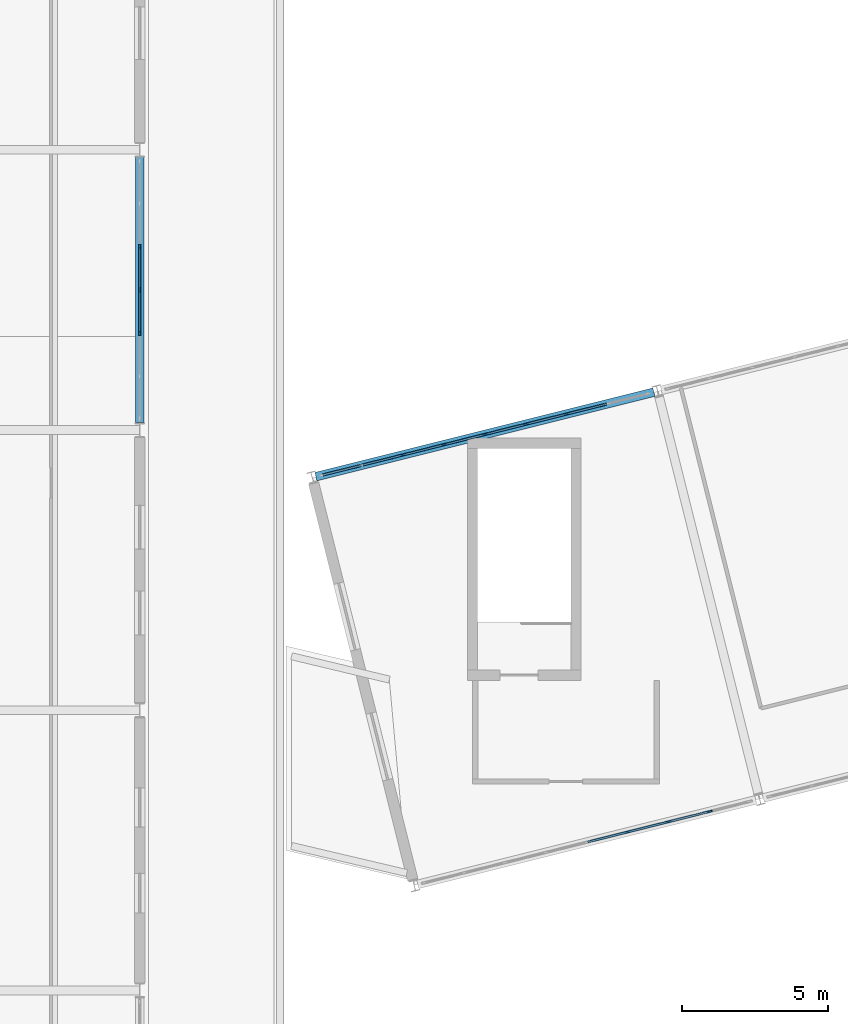
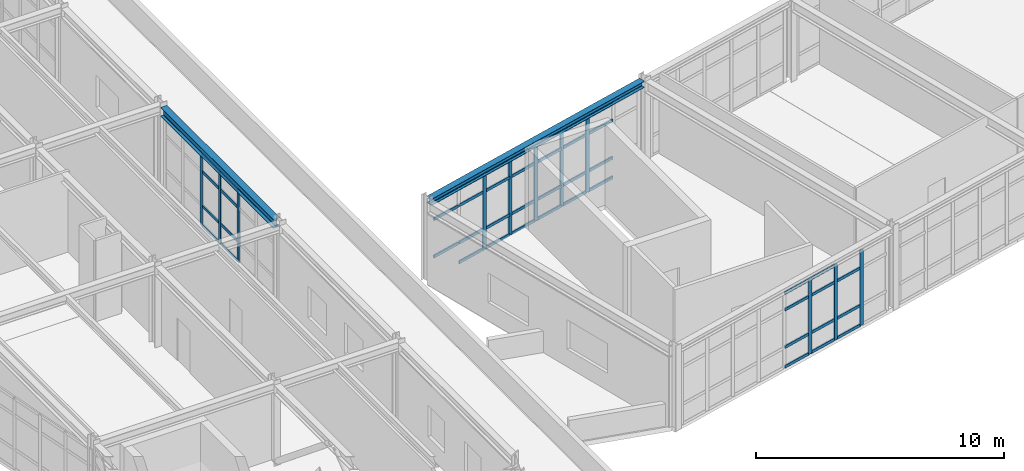
# One storey, part 14 of 64: 57 members, 2 beams, 3 elements without a shape of their own.
"""IFC4 building model written with IfcOpenShell, lengths in metres."""

import ifcopenshell
import ifcopenshell.guid

model = None  # the IFC model being written
_history = None  # IfcOwnerHistory: only IFC2X3 demands one
_inside = {}  # id of a spatial element -> (the spatial element, [elements in it])
_under = {}  # id of a project, library or spatial element -> (it, [spatial elements below it])
_declared = {}  # id of a project -> (the project, [libraries it declares])
_typed = {}  # id of a type object -> (the type object, [elements of that type])
_made_of = {}  # id of a material, layer set ... -> (it, [elements and type objects made of it])


def new_model(schema):
    """Start an empty IFC model of exactly this schema.

    Asked for "IFC4X3", IfcOpenShell would pick the latest addendum, in which some entities
    have other attributes; the version numbers below select the first issue.
    IFC2X3 requires an IfcOwnerHistory on every rooted entity: one is made here for all.
    """
    global model, _history
    if schema == "IFC4X3":
        model = ifcopenshell.file(schema_version=(4, 3, 0, 0))
    else:
        model = ifcopenshell.file(schema=schema)
    _inside.clear()
    _under.clear()
    _declared.clear()
    _typed.clear()
    _made_of.clear()
    _history = None
    if model.schema == "IFC2X3":
        org = make("IfcOrganization", Name="unknown")
        user = make(
            "IfcPersonAndOrganization",
            ThePerson=make("IfcPerson", FamilyName="unknown"),
            TheOrganization=org,
        )
        app = make(
            "IfcApplication",
            ApplicationDeveloper=org,
            Version="unknown",
            ApplicationFullName="unknown",
            ApplicationIdentifier="unknown",
        )
        _history = make(
            "IfcOwnerHistory",
            OwningUser=user,
            OwningApplication=app,
            ChangeAction="ADDED",
            CreationDate=0,
        )
    return model


def make(cls, **values):
    """One entity of the class cls with the attributes given. An attribute that is None is left unset."""
    return model.create_entity(
        cls, **{name: value for name, value in values.items() if value is not None}
    )


def rooted(cls, **values):
    """An entity with a GlobalId (a new one), such as an element, a storey or a relation."""
    return make(cls, GlobalId=ifcopenshell.guid.new(), OwnerHistory=_history, **values)


def si_unit(unit_type, name, prefix=None):
    """IfcSIUnit, for example si_unit("LENGTHUNIT", "METRE", prefix="MILLI")."""
    return make("IfcSIUnit", UnitType=unit_type, Prefix=prefix, Name=name)


def assignment(units):
    """IfcUnitAssignment: the units of a project."""
    return None if units is None else make("IfcUnitAssignment", Units=units)


def point(xyz):
    """IfcCartesianPoint."""
    return None if xyz is None else make("IfcCartesianPoint", Coordinates=xyz)


def direction(xyz):
    """IfcDirection."""
    return None if xyz is None else make("IfcDirection", DirectionRatios=xyz)


def frame(location, z_axis=None, x_axis=None):
    """IfcAxis2Placement3D, a coordinate frame: its origin and axes. An axis left out is left unset."""
    return make(
        "IfcAxis2Placement3D",
        Location=point(location),
        Axis=direction(z_axis),
        RefDirection=direction(x_axis),
    )


def frame_2d(location, x_axis=None):
    """IfcAxis2Placement2D, a coordinate frame in the plane: its origin and x axis."""
    return make(
        "IfcAxis2Placement2D", Location=point(location), RefDirection=direction(x_axis)
    )


def origin():
    """The frame at (0, 0, 0) with its axes left unset."""
    return frame((0.0, 0.0, 0.0))


def origin_2d():
    """The frame at (0, 0) in the plane with its x axis left unset."""
    return frame_2d((0.0, 0.0))


def place(relative_to, where):
    """IfcLocalPlacement: puts the frame where relative to a parent placement (None: the world)."""
    return make(
        "IfcLocalPlacement", PlacementRelTo=relative_to, RelativePlacement=where
    )


def context(
    kind, dimensions, precision=None, world=None, true_north=None, identifier=None
):
    """IfcGeometricRepresentationContext, for example the 3D "Model" context."""
    return make(
        "IfcGeometricRepresentationContext",
        ContextIdentifier=identifier,
        ContextType=kind,
        CoordinateSpaceDimension=dimensions,
        Precision=precision,
        WorldCoordinateSystem=world,
        TrueNorth=true_north,
    )


def subcontext(parent, identifier, kind, view, scale=None):
    """IfcGeometricRepresentationSubContext, for example "Body" below "Model"."""
    return make(
        "IfcGeometricRepresentationSubContext",
        ContextIdentifier=identifier,
        ContextType=kind,
        ParentContext=parent,
        TargetScale=scale,
        TargetView=view,
    )


def project(units=None, contexts=None):
    """IfcProject with its units and contexts."""
    return rooted(
        "IfcProject",
        Name="project",
        RepresentationContexts=contexts,
        UnitsInContext=assignment(units),
    )


def spatial(cls, under=None, at=None, **own):
    """A site, building, storey or space (cls), placed at a placement, below another one or the project."""
    s = rooted(cls, ObjectPlacement=at, **own)
    if under is not None:
        _under.setdefault(under.id(), (under, []))[1].append(s)
    return s


def profile(cls, at=None, kind="AREA", **sizes):
    """A parametric profile (cls). Its sizes go by their IFC names, for example OverallWidth=200.0."""
    return make(cls, ProfileType=kind, Position=at, **sizes)


def rectangle(**sizes):
    """IfcRectangleProfileDef."""
    return profile("IfcRectangleProfileDef", **sizes)


def i_section(**sizes):
    """IfcIShapeProfileDef."""
    return profile("IfcIShapeProfileDef", **sizes)


def extrude(swept, where, along, depth):
    """IfcExtrudedAreaSolid: the profile swept, set in the frame where, extruded along a direction by depth."""
    return make(
        "IfcExtrudedAreaSolid",
        SweptArea=swept,
        Position=where,
        ExtrudedDirection=direction(along),
        Depth=depth,
    )


def shape(context_of_items, identifier, shape_type, items):
    """IfcShapeRepresentation: the items that make up one representation, for example the "Body"."""
    return make(
        "IfcShapeRepresentation",
        ContextOfItems=context_of_items,
        RepresentationIdentifier=identifier,
        RepresentationType=shape_type,
        Items=items,
    )


def material(Name=None, Category=None):
    """IfcMaterial."""
    return make("IfcMaterial", Name=Name, Category=Category)


def layer(
    of_material, thickness, ventilated=None, Name=None, Category=None, Priority=None
):
    """IfcMaterialLayer: one layer of a wall or slab, of a material (None: an air gap)."""
    return make(
        "IfcMaterialLayer",
        Material=of_material,
        LayerThickness=thickness,
        IsVentilated=ventilated,
        Name=Name,
        Category=Category,
        Priority=Priority,
    )


def layer_set(layers, Name=None):
    """IfcMaterialLayerSet."""
    return make("IfcMaterialLayerSet", MaterialLayers=layers, LayerSetName=Name)


def material_profile(
    of_material, cross_section, Name=None, Category=None, Priority=None
):
    """IfcMaterialProfile: a cross section and its material."""
    return make(
        "IfcMaterialProfile",
        Name=Name,
        Material=of_material,
        Profile=cross_section,
        Priority=Priority,
        Category=Category,
    )


def profile_set(profiles, Name=None, composite=None):
    """IfcMaterialProfileSet."""
    return make(
        "IfcMaterialProfileSet",
        Name=Name,
        MaterialProfiles=profiles,
        CompositeProfile=composite,
    )


def made_of(thing, what):
    """Note that an element or type object is made of a material, layer set ...; save() writes the relation."""
    if what is not None:
        _made_of.setdefault(what.id(), (what, []))[1].append(thing)
    return thing


def type_object(cls, material=None, **own):
    """A type object (cls), such as IfcWallType, which elements share."""
    return made_of(rooted(cls, **own), material)


def element(
    cls,
    number,
    at=None,
    inside=None,
    cuts=None,
    type_object=None,
    material=None,
    context=None,
    identifier="Body",
    shape_type=None,
    held_by="IfcProductDefinitionShape",
    body=None,
    shapes=None,
    **own,
):
    """One element of the class cls, such as IfcWall. Its Tag is "e" and its number.

    at: its placement. inside: the storey or other place that contains it. cuts: it is an
    opening in that element (IfcRelVoidsElement). A single representation is given by context,
    identifier, shape_type and body (its items); several are given by shapes. held_by: the class
    of the entity that holds the representations. save() writes the other relations.
    """
    e = rooted(cls, Tag="e%d" % number, ObjectPlacement=at, **own)
    if body is not None:
        shapes = [shape(context, identifier, shape_type, body)]
    if shapes is not None:
        e.Representation = make(held_by, Representations=shapes)
    if inside is not None:
        _inside.setdefault(inside.id(), (inside, []))[1].append(e)
    if cuts is not None:
        rooted(
            "IfcRelVoidsElement", RelatingBuildingElement=cuts, RelatedOpeningElement=e
        )
    if type_object is not None:
        _typed.setdefault(type_object.id(), (type_object, []))[1].append(e)
    return made_of(e, material)


def aggregate(whole, parts):
    """IfcRelAggregates: a whole, such as a stair, and the parts it consists of."""
    return rooted("IfcRelAggregates", RelatingObject=whole, RelatedObjects=parts)


def save(model, path):
    """Write the relations noted so far, then the file.

    IfcRelAggregates (storeys below a building ...), IfcRelContainedInSpatialStructure (elements
    in a storey), IfcRelDefinesByType, IfcRelAssociatesMaterial and IfcRelDeclares: one each for
    every whole, place, type object, material and project.
    """
    for whole, parts in _under.values():
        aggregate(whole, parts)
    for where, things in _inside.values():
        rooted(
            "IfcRelContainedInSpatialStructure",
            RelatedElements=things,
            RelatingStructure=where,
        )
    for kind, things in _typed.values():
        rooted("IfcRelDefinesByType", RelatedObjects=things, RelatingType=kind)
    for what, things in _made_of.values():
        rooted("IfcRelAssociatesMaterial", RelatedObjects=things, RelatingMaterial=what)
    for by, libraries in _declared.values():
        rooted("IfcRelDeclares", RelatingContext=by, RelatedDefinitions=libraries)
    model.write(path)


model = new_model("IFC4")

# Units and contexts
model_context = context("Model", 3, precision=1e-05, world=origin(), true_north=direction((0.0, 1.0)))
body_context = subcontext(model_context, "Body", "Model", "MODEL_VIEW")
ifc_project = project(units=[si_unit("LENGTHUNIT", "METRE"), si_unit("AREAUNIT", "SQUARE_METRE"), si_unit("VOLUMEUNIT", "CUBIC_METRE"), si_unit("PLANEANGLEUNIT", "RADIAN"), si_unit("MASSUNIT", "GRAM", prefix="KILO")], contexts=[model_context])

# Site, building, storey
site_placement = place(None, origin())
site = spatial("IfcSite", under=ifc_project, at=site_placement, CompositionType="ELEMENT")
building_placement = place(site_placement, origin())
building = spatial("IfcBuilding", under=site, at=building_placement, Name="Nordkorset Police Headquarters", CompositionType="ELEMENT")
storey_placement = place(building_placement, frame((0.0, 0.0, 17.85009765625)))
storey = spatial("IfcBuildingStorey", under=building, at=storey_placement, Name="L04", CompositionType="ELEMENT", Elevation=17.85009765625)

# Curtain wall, members
ifc_material_1 = material(Name="Aluminium alloy AW-6060", Category="aluminium")
ifc_layer_1 = layer(ifc_material_1, 0.179931640625, Name="Aluminium alloy AW-6060")
ifc_layer_set_1 = layer_set([ifc_layer_1], Name="Aluminium alloy AW-6060")
curtain_wall_type_1 = type_object("IfcCurtainWallType", Name="CW_Unit_888x353", PredefinedType="USERDEFINED", material=ifc_layer_set_1)
curtain_wall_1_placement = place(storey_placement, origin())
curtain_wall_1 = element("IfcCurtainWall", 1, at=curtain_wall_1_placement, inside=storey, type_object=curtain_wall_type_1, Name="Unitised Curtain Wall L04 V3E-3", ObjectType="UNITISED CURTAIN WALL", PredefinedType="USERDEFINED")
ifc_material_2 = material(Name="Aluminium alloy AW-6060", Category="aluminium")
ifc_material_profile_1 = material_profile(ifc_material_2, rectangle(XDim=0.06494140625, YDim=0.179931640625, at=origin_2d()), Name="ALU MULL 65x180")
ifc_profile_set_1 = profile_set([ifc_material_profile_1], Name="Aluminium alloy AW-6060")
member_type_1 = type_object("IfcMemberType", Name="CW_Mullion_65x180", PredefinedType="MULLION", material=ifc_profile_set_1)
member_1_placement = place(storey_placement, frame((14.199951171875, 60.919921875, 0.0), z_axis=(0.0, 0.0, 1.0), x_axis=(-1.0, 0.0, 0.0)))
member_1 = element("IfcMember", 2, at=member_1_placement, type_object=member_type_1, Name="CW-52 mullion 3", PredefinedType="MULLION", context=body_context, shape_type="SweptSolid", body=[
    extrude(rectangle(XDim=0.06494140625, YDim=0.179931640625, at=origin_2d()), origin(), (0.0, 0.0, 1.0), 3.52978515625),
])
member_2_placement = place(storey_placement, frame((14.199951171875, 62.39990234375, 0.0), z_axis=(0.0, 0.0, 1.0), x_axis=(-1.0, 0.0, 0.0)))
member_2 = element("IfcMember", 3, at=member_2_placement, type_object=member_type_1, Name="CW-52 mullion 4", PredefinedType="MULLION", context=body_context, shape_type="SweptSolid", body=[
    extrude(rectangle(XDim=0.06494140625, YDim=0.179931640625, at=origin_2d()), origin(), (0.0, 0.0, 1.0), 3.52978515625),
])
member_3_placement = place(storey_placement, frame((14.199951171875, 63.8798828125, 0.0), z_axis=(0.0, 0.0, 1.0), x_axis=(-1.0, 0.0, 0.0)))
member_3 = element("IfcMember", 4, at=member_3_placement, type_object=member_type_1, Name="CW-52 mullion 5", PredefinedType="MULLION", context=body_context, shape_type="SweptSolid", body=[
    extrude(rectangle(XDim=0.06494140625, YDim=0.179931640625, at=origin_2d()), origin(), (0.0, 0.0, 1.0), 3.52978515625),
])

ifc_material_3 = material(Name="Aluminium alloy AW-6060", Category="aluminium")
ifc_layer_2 = layer(ifc_material_3, 0.179931640625, Name="Aluminium alloy AW-6060")
ifc_layer_set_2 = layer_set([ifc_layer_2], Name="Aluminium alloy AW-6060")
curtain_wall_type_2 = type_object("IfcCurtainWallType", Name="CW_Unit_1156x369", PredefinedType="USERDEFINED", material=ifc_layer_set_2)
curtain_wall_2_placement = place(storey_placement, origin())
curtain_wall_2 = element("IfcCurtainWall", 5, at=curtain_wall_2_placement, inside=storey, type_object=curtain_wall_type_2, Name="Unitised Curtain Wall L04 V4S-0", ObjectType="UNITISED CURTAIN WALL", PredefinedType="USERDEFINED")
member_4_placement = place(storey_placement, frame((30.919677734375, 43.829833984375, 0.0), z_axis=(0.0, 0.0, 1.0), x_axis=(-0.242535625038, 0.970142500145, 0.0)))
member_4 = element("IfcMember", 6, at=member_4_placement, type_object=member_type_1, Name="CW-06 mullion 6", PredefinedType="MULLION", context=body_context, shape_type="SweptSolid", body=[
    extrude(rectangle(XDim=0.06494140625, YDim=0.179931640625, at=origin_2d()), origin(), (0.0, 0.0, 1.0), 3.69091796875),
])
member_5_placement = place(storey_placement, frame((32.321533203125, 44.180419921875, 0.0), z_axis=(0.0, 0.0, 1.0), x_axis=(-0.242535625038, 0.970142500145, 0.0)))
member_5 = element("IfcMember", 7, at=member_5_placement, type_object=member_type_1, Name="CW-06 mullion 7", PredefinedType="MULLION", context=body_context, shape_type="SweptSolid", body=[
    extrude(rectangle(XDim=0.06494140625, YDim=0.179931640625, at=origin_2d()), origin(), (0.0, 0.0, 1.0), 3.69091796875),
])
member_6_placement = place(storey_placement, frame((33.723388671875, 44.53076171875, 0.0), z_axis=(0.0, 0.0, 1.0), x_axis=(-0.242535625038, 0.970142500145, 0.0)))
member_6 = element("IfcMember", 8, at=member_6_placement, type_object=member_type_1, Name="CW-06 mullion 8", PredefinedType="MULLION", context=body_context, shape_type="SweptSolid", body=[
    extrude(rectangle(XDim=0.06494140625, YDim=0.179931640625, at=origin_2d()), origin(), (0.0, 0.0, 1.0), 3.69091796875),
])

curtain_wall_3_placement = place(storey_placement, origin())
curtain_wall_3 = element("IfcCurtainWall", 9, at=curtain_wall_3_placement, inside=storey, type_object=curtain_wall_type_2, Name="Unitised Curtain Wall L04 V4N-0", ObjectType="UNITISED CURTAIN WALL", PredefinedType="USERDEFINED")
member_7_placement = place(storey_placement, frame((23.2216796875, 56.74853515625, 0.0), z_axis=(0.0, 0.0, 1.0), x_axis=(-0.242536235663, 0.970142347489, 0.0)))
member_7 = element("IfcMember", 10, at=member_7_placement, type_object=member_type_1, Name="CW-06 mullion 3", PredefinedType="MULLION", context=body_context, shape_type="SweptSolid", body=[
    extrude(rectangle(XDim=0.06494140625, YDim=0.179931640625, at=origin_2d()), origin(), (0.0, 0.0, 1.0), 3.69091796875),
])
member_8_placement = place(storey_placement, frame((24.62353515625, 57.09912109375, 0.0), z_axis=(0.0, 0.0, 1.0), x_axis=(-0.242536235663, 0.970142347489, 0.0)))
member_8 = element("IfcMember", 11, at=member_8_placement, type_object=member_type_1, Name="CW-06 mullion 4", PredefinedType="MULLION", context=body_context, shape_type="SweptSolid", body=[
    extrude(rectangle(XDim=0.06494140625, YDim=0.179931640625, at=origin_2d()), origin(), (0.0, 0.0, 1.0), 3.69091796875),
])
member_9_placement = place(storey_placement, frame((26.025390625, 57.449462890625, 0.0), z_axis=(0.0, 0.0, 1.0), x_axis=(-0.242536235663, 0.970142347489, 0.0)))
member_9 = element("IfcMember", 12, at=member_9_placement, type_object=member_type_1, Name="CW-06 mullion 5", PredefinedType="MULLION", context=body_context, shape_type="SweptSolid", body=[
    extrude(rectangle(XDim=0.06494140625, YDim=0.179931640625, at=origin_2d()), origin(), (0.0, 0.0, 1.0), 3.69091796875),
])
member_10_placement = place(storey_placement, frame((27.42724609375, 57.800048828125, 0.0), z_axis=(0.0, 0.0, 1.0), x_axis=(-0.242536235663, 0.970142347489, 0.0)))
member_10 = element("IfcMember", 13, at=member_10_placement, type_object=member_type_1, Name="CW-06 mullion 6", PredefinedType="MULLION", context=body_context, shape_type="SweptSolid", body=[
    extrude(rectangle(XDim=0.06494140625, YDim=0.179931640625, at=origin_2d()), origin(), (0.0, 0.0, 1.0), 3.69091796875),
])
member_11_placement = place(storey_placement, frame((28.8291015625, 58.150390625, 0.0), z_axis=(0.0, 0.0, 1.0), x_axis=(-0.242536235663, 0.970142347489, 0.0)))
member_11 = element("IfcMember", 14, at=member_11_placement, type_object=member_type_1, Name="CW-06 mullion 7", PredefinedType="MULLION", context=body_context, shape_type="SweptSolid", body=[
    extrude(rectangle(XDim=0.06494140625, YDim=0.179931640625, at=origin_2d()), origin(), (0.0, 0.0, 1.0), 3.69091796875),
])

# Member
ifc_material_4 = material(Name="Aluminium alloy AW-6060", Category="aluminium")
ifc_material_profile_2 = material_profile(ifc_material_4, rectangle(XDim=0.06494140625, YDim=0.139892578125, at=origin_2d()), Name="ALU TRAN 65x140")
ifc_profile_set_2 = profile_set([ifc_material_profile_2], Name="Aluminium alloy AW-6060")
member_type_2 = type_object("IfcMemberType", Name="CW_Transom_65x140", PredefinedType="USERDEFINED", material=ifc_profile_set_2)
member_12_placement = place(storey_placement, frame((14.199951171875, 60.952392578125, 0.032470703125), z_axis=(0.0, 1.0, 0.0), x_axis=(-1.0, 0.0, 0.0)))
member_12 = element("IfcMember", 15, at=member_12_placement, type_object=member_type_2, Name="CW-52 transom 3.1", ObjectType="TRANSOM", PredefinedType="USERDEFINED", context=body_context, shape_type="SweptSolid", body=[
    extrude(rectangle(XDim=0.06494140625, YDim=0.139892578125, at=origin_2d()), origin(), (0.0, 0.0, 1.0), 1.4150390625),
])

member_13_placement = place(storey_placement, frame((14.199951171875, 60.952392578125, 1.0), z_axis=(0.0, 1.0, 0.0), x_axis=(-1.0, 0.0, 0.0)))
member_13 = element("IfcMember", 16, at=member_13_placement, type_object=member_type_2, Name="CW-52 transom 3.2", ObjectType="TRANSOM", PredefinedType="USERDEFINED", context=body_context, shape_type="SweptSolid", body=[
    extrude(rectangle(XDim=0.06494140625, YDim=0.139892578125, at=origin_2d()), origin(), (0.0, 0.0, 1.0), 1.4150390625),
])

member_14_placement = place(storey_placement, frame((14.199951171875, 60.952392578125, 2.679931640625), z_axis=(0.0, 1.0, 0.0), x_axis=(-1.0, 0.0, 0.0)))
member_14 = element("IfcMember", 17, at=member_14_placement, type_object=member_type_2, Name="CW-52 transom 3.3", ObjectType="TRANSOM", PredefinedType="USERDEFINED", context=body_context, shape_type="SweptSolid", body=[
    extrude(rectangle(XDim=0.06494140625, YDim=0.139892578125, at=origin_2d()), origin(), (0.0, 0.0, 1.0), 1.4150390625),
])

member_15_placement = place(storey_placement, frame((14.199951171875, 60.952392578125, 3.497314453125), z_axis=(0.0, 1.0, 0.0), x_axis=(-1.0, 0.0, 0.0)))
member_15 = element("IfcMember", 18, at=member_15_placement, type_object=member_type_2, Name="CW-52 transom 3.4", ObjectType="TRANSOM", PredefinedType="USERDEFINED", context=body_context, shape_type="SweptSolid", body=[
    extrude(rectangle(XDim=0.06494140625, YDim=0.139892578125, at=origin_2d()), origin(), (0.0, 0.0, 1.0), 1.4150390625),
])

member_16_placement = place(storey_placement, frame((14.199951171875, 62.4326171875, 0.032470703125), z_axis=(0.0, 1.0, 0.0), x_axis=(-1.0, 0.0, 0.0)))
member_16 = element("IfcMember", 19, at=member_16_placement, type_object=member_type_2, Name="CW-52 transom 4.1", ObjectType="TRANSOM", PredefinedType="USERDEFINED", context=body_context, shape_type="SweptSolid", body=[
    extrude(rectangle(XDim=0.06494140625, YDim=0.139892578125, at=origin_2d()), origin(), (0.0, 0.0, 1.0), 1.414794921875),
])

member_17_placement = place(storey_placement, frame((14.199951171875, 62.4326171875, 1.0), z_axis=(0.0, 1.0, 0.0), x_axis=(-1.0, 0.0, 0.0)))
member_17 = element("IfcMember", 20, at=member_17_placement, type_object=member_type_2, Name="CW-52 transom 4.2", ObjectType="TRANSOM", PredefinedType="USERDEFINED", context=body_context, shape_type="SweptSolid", body=[
    extrude(rectangle(XDim=0.06494140625, YDim=0.139892578125, at=origin_2d()), origin(), (0.0, 0.0, 1.0), 1.414794921875),
])

member_18_placement = place(storey_placement, frame((14.199951171875, 62.4326171875, 2.679931640625), z_axis=(0.0, 1.0, 0.0), x_axis=(-1.0, 0.0, 0.0)))
member_18 = element("IfcMember", 21, at=member_18_placement, type_object=member_type_2, Name="CW-52 transom 4.3", ObjectType="TRANSOM", PredefinedType="USERDEFINED", context=body_context, shape_type="SweptSolid", body=[
    extrude(rectangle(XDim=0.06494140625, YDim=0.139892578125, at=origin_2d()), origin(), (0.0, 0.0, 1.0), 1.414794921875),
])

member_19_placement = place(storey_placement, frame((14.199951171875, 62.4326171875, 3.497314453125), z_axis=(0.0, 1.0, 0.0), x_axis=(-1.0, 0.0, 0.0)))
member_19 = element("IfcMember", 22, at=member_19_placement, type_object=member_type_2, Name="CW-52 transom 4.4", ObjectType="TRANSOM", PredefinedType="USERDEFINED", context=body_context, shape_type="SweptSolid", body=[
    extrude(rectangle(XDim=0.06494140625, YDim=0.139892578125, at=origin_2d()), origin(), (0.0, 0.0, 1.0), 1.414794921875),
])

aggregate(curtain_wall_1, [member_1, member_2, member_3, member_12, member_13, member_14, member_15, member_16, member_17, member_18, member_19])

member_20_placement = place(storey_placement, frame((29.54931640625, 43.4873046875, 0.032470703125), z_axis=(0.970142500145, 0.242535625036, 0.0), x_axis=(-0.242535625036, 0.970142500145, 0.0)))
member_20 = element("IfcMember", 23, at=member_20_placement, type_object=member_type_2, Name="CW-06 transom 5.1", ObjectType="TRANSOM", PredefinedType="USERDEFINED", context=body_context, shape_type="SweptSolid", body=[
    extrude(rectangle(XDim=0.06494140625, YDim=0.139892578125, at=origin_2d()), origin(), (0.0, 0.0, 1.0), 1.380126953125),
])

member_21_placement = place(storey_placement, frame((29.54931640625, 43.4873046875, 1.0), z_axis=(0.970142500145, 0.242535625036, 0.0), x_axis=(-0.242535625036, 0.970142500145, 0.0)))
member_21 = element("IfcMember", 24, at=member_21_placement, type_object=member_type_2, Name="CW-06 transom 5.2", ObjectType="TRANSOM", PredefinedType="USERDEFINED", context=body_context, shape_type="SweptSolid", body=[
    extrude(rectangle(XDim=0.06494140625, YDim=0.139892578125, at=origin_2d()), origin(), (0.0, 0.0, 1.0), 1.380126953125),
])

member_22_placement = place(storey_placement, frame((29.54931640625, 43.4873046875, 2.8408203125), z_axis=(0.970142500145, 0.242535625036, 0.0), x_axis=(-0.242535625036, 0.970142500145, 0.0)))
member_22 = element("IfcMember", 25, at=member_22_placement, type_object=member_type_2, Name="CW-06 transom 5.3", ObjectType="TRANSOM", PredefinedType="USERDEFINED", context=body_context, shape_type="SweptSolid", body=[
    extrude(rectangle(XDim=0.06494140625, YDim=0.139892578125, at=origin_2d()), origin(), (0.0, 0.0, 1.0), 1.380126953125),
])

member_23_placement = place(storey_placement, frame((29.54931640625, 43.4873046875, 3.658447265625), z_axis=(0.970142500145, 0.242535625036, 0.0), x_axis=(-0.242535625036, 0.970142500145, 0.0)))
member_23 = element("IfcMember", 26, at=member_23_placement, type_object=member_type_2, Name="CW-06 transom 5.4", ObjectType="TRANSOM", PredefinedType="USERDEFINED", context=body_context, shape_type="SweptSolid", body=[
    extrude(rectangle(XDim=0.06494140625, YDim=0.139892578125, at=origin_2d()), origin(), (0.0, 0.0, 1.0), 1.380126953125),
])

member_24_placement = place(storey_placement, frame((30.951171875, 43.837890625, 0.032470703125), z_axis=(0.970142500145, 0.242535625036, 0.0), x_axis=(-0.242535625036, 0.970142500145, 0.0)))
member_24 = element("IfcMember", 27, at=member_24_placement, type_object=member_type_2, Name="CW-06 transom 6.1", ObjectType="TRANSOM", PredefinedType="USERDEFINED", context=body_context, shape_type="SweptSolid", body=[
    extrude(rectangle(XDim=0.06494140625, YDim=0.139892578125, at=origin_2d()), origin(), (0.0, 0.0, 1.0), 1.380126953125),
])

member_25_placement = place(storey_placement, frame((30.951171875, 43.837890625, 1.0), z_axis=(0.970142500145, 0.242535625036, 0.0), x_axis=(-0.242535625036, 0.970142500145, 0.0)))
member_25 = element("IfcMember", 28, at=member_25_placement, type_object=member_type_2, Name="CW-06 transom 6.2", ObjectType="TRANSOM", PredefinedType="USERDEFINED", context=body_context, shape_type="SweptSolid", body=[
    extrude(rectangle(XDim=0.06494140625, YDim=0.139892578125, at=origin_2d()), origin(), (0.0, 0.0, 1.0), 1.380126953125),
])

member_26_placement = place(storey_placement, frame((30.951171875, 43.837890625, 2.8408203125), z_axis=(0.970142500145, 0.242535625036, 0.0), x_axis=(-0.242535625036, 0.970142500145, 0.0)))
member_26 = element("IfcMember", 29, at=member_26_placement, type_object=member_type_2, Name="CW-06 transom 6.3", ObjectType="TRANSOM", PredefinedType="USERDEFINED", context=body_context, shape_type="SweptSolid", body=[
    extrude(rectangle(XDim=0.06494140625, YDim=0.139892578125, at=origin_2d()), origin(), (0.0, 0.0, 1.0), 1.380126953125),
])

member_27_placement = place(storey_placement, frame((30.951171875, 43.837890625, 3.658447265625), z_axis=(0.970142500145, 0.242535625036, 0.0), x_axis=(-0.242535625036, 0.970142500145, 0.0)))
member_27 = element("IfcMember", 30, at=member_27_placement, type_object=member_type_2, Name="CW-06 transom 6.4", ObjectType="TRANSOM", PredefinedType="USERDEFINED", context=body_context, shape_type="SweptSolid", body=[
    extrude(rectangle(XDim=0.06494140625, YDim=0.139892578125, at=origin_2d()), origin(), (0.0, 0.0, 1.0), 1.380126953125),
])

member_28_placement = place(storey_placement, frame((32.35302734375, 44.188232421875, 0.032470703125), z_axis=(0.970142500145, 0.242535625036, 0.0), x_axis=(-0.242535625036, 0.970142500145, 0.0)))
member_28 = element("IfcMember", 31, at=member_28_placement, type_object=member_type_2, Name="CW-06 transom 7.1", ObjectType="TRANSOM", PredefinedType="USERDEFINED", context=body_context, shape_type="SweptSolid", body=[
    extrude(rectangle(XDim=0.06494140625, YDim=0.139892578125, at=origin_2d()), origin(), (0.0, 0.0, 1.0), 1.380126953125),
])

member_29_placement = place(storey_placement, frame((32.35302734375, 44.188232421875, 1.0), z_axis=(0.970142500145, 0.242535625036, 0.0), x_axis=(-0.242535625036, 0.970142500145, 0.0)))
member_29 = element("IfcMember", 32, at=member_29_placement, type_object=member_type_2, Name="CW-06 transom 7.2", ObjectType="TRANSOM", PredefinedType="USERDEFINED", context=body_context, shape_type="SweptSolid", body=[
    extrude(rectangle(XDim=0.06494140625, YDim=0.139892578125, at=origin_2d()), origin(), (0.0, 0.0, 1.0), 1.380126953125),
])

member_30_placement = place(storey_placement, frame((32.35302734375, 44.188232421875, 2.8408203125), z_axis=(0.970142500145, 0.242535625036, 0.0), x_axis=(-0.242535625036, 0.970142500145, 0.0)))
member_30 = element("IfcMember", 33, at=member_30_placement, type_object=member_type_2, Name="CW-06 transom 7.3", ObjectType="TRANSOM", PredefinedType="USERDEFINED", context=body_context, shape_type="SweptSolid", body=[
    extrude(rectangle(XDim=0.06494140625, YDim=0.139892578125, at=origin_2d()), origin(), (0.0, 0.0, 1.0), 1.380126953125),
])

aggregate(curtain_wall_2, [member_4, member_5, member_6, member_20, member_21, member_22, member_23, member_24, member_25, member_26, member_27, member_28, member_29, member_30])

member_31_placement = place(storey_placement, frame((20.48095703125, 56.0634765625, 1.0), z_axis=(0.970174463193, 0.242407737022, 0.0), x_axis=(-0.242407737022, 0.970174463193, 0.0)))
member_31 = element("IfcMember", 34, at=member_31_placement, type_object=member_type_2, Name="CW-06 transom 1.2", ObjectType="TRANSOM", PredefinedType="USERDEFINED", context=body_context, shape_type="SweptSolid", body=[
    extrude(rectangle(XDim=0.06494140625, YDim=0.139892578125, at=origin_2d()), origin(), (0.0, 0.0, 1.0), 1.34765625),
])

member_32_placement = place(storey_placement, frame((20.48095703125, 56.0634765625, 2.8408203125), z_axis=(0.970174463193, 0.242407737022, 0.0), x_axis=(-0.242407737022, 0.970174463193, 0.0)))
member_32 = element("IfcMember", 35, at=member_32_placement, type_object=member_type_2, Name="CW-06 transom 1.3", ObjectType="TRANSOM", PredefinedType="USERDEFINED", context=body_context, shape_type="SweptSolid", body=[
    extrude(rectangle(XDim=0.06494140625, YDim=0.139892578125, at=origin_2d()), origin(), (0.0, 0.0, 1.0), 1.34765625),
])

member_33_placement = place(storey_placement, frame((20.48095703125, 56.0634765625, 3.658447265625), z_axis=(0.970174463193, 0.242407737022, 0.0), x_axis=(-0.242407737022, 0.970174463193, 0.0)))
member_33 = element("IfcMember", 36, at=member_33_placement, type_object=member_type_2, Name="CW-06 transom 1.4", ObjectType="TRANSOM", PredefinedType="USERDEFINED", context=body_context, shape_type="SweptSolid", body=[
    extrude(rectangle(XDim=0.06494140625, YDim=0.139892578125, at=origin_2d()), origin(), (0.0, 0.0, 1.0), 1.34765625),
])

member_34_placement = place(storey_placement, frame((21.851318359375, 56.406005859375, 0.032470703125), z_axis=(0.970142500145, 0.242535625036, 0.0), x_axis=(-0.242535625036, 0.970142500145, 0.0)))
member_34 = element("IfcMember", 37, at=member_34_placement, type_object=member_type_2, Name="CW-06 transom 2.1", ObjectType="TRANSOM", PredefinedType="USERDEFINED", context=body_context, shape_type="SweptSolid", body=[
    extrude(rectangle(XDim=0.06494140625, YDim=0.139892578125, at=origin_2d()), origin(), (0.0, 0.0, 1.0), 1.380126953125),
])

member_35_placement = place(storey_placement, frame((21.851318359375, 56.406005859375, 1.0), z_axis=(0.970142500145, 0.242535625036, 0.0), x_axis=(-0.242535625036, 0.970142500145, 0.0)))
member_35 = element("IfcMember", 38, at=member_35_placement, type_object=member_type_2, Name="CW-06 transom 2.2", ObjectType="TRANSOM", PredefinedType="USERDEFINED", context=body_context, shape_type="SweptSolid", body=[
    extrude(rectangle(XDim=0.06494140625, YDim=0.139892578125, at=origin_2d()), origin(), (0.0, 0.0, 1.0), 1.380126953125),
])

member_36_placement = place(storey_placement, frame((21.851318359375, 56.406005859375, 2.8408203125), z_axis=(0.970142500145, 0.242535625036, 0.0), x_axis=(-0.242535625036, 0.970142500145, 0.0)))
member_36 = element("IfcMember", 39, at=member_36_placement, type_object=member_type_2, Name="CW-06 transom 2.3", ObjectType="TRANSOM", PredefinedType="USERDEFINED", context=body_context, shape_type="SweptSolid", body=[
    extrude(rectangle(XDim=0.06494140625, YDim=0.139892578125, at=origin_2d()), origin(), (0.0, 0.0, 1.0), 1.380126953125),
])

member_37_placement = place(storey_placement, frame((21.851318359375, 56.406005859375, 3.658447265625), z_axis=(0.970142500145, 0.242535625036, 0.0), x_axis=(-0.242535625036, 0.970142500145, 0.0)))
member_37 = element("IfcMember", 40, at=member_37_placement, type_object=member_type_2, Name="CW-06 transom 2.4", ObjectType="TRANSOM", PredefinedType="USERDEFINED", context=body_context, shape_type="SweptSolid", body=[
    extrude(rectangle(XDim=0.06494140625, YDim=0.139892578125, at=origin_2d()), origin(), (0.0, 0.0, 1.0), 1.380126953125),
])

member_38_placement = place(storey_placement, frame((23.253173828125, 56.756591796875, 0.032470703125), z_axis=(0.970184112154, 0.242369116275, 0.0), x_axis=(-0.242369116275, 0.970184112154, 0.0)))
member_38 = element("IfcMember", 41, at=member_38_placement, type_object=member_type_2, Name="CW-06 transom 3.1", ObjectType="TRANSOM", PredefinedType="USERDEFINED", context=body_context, shape_type="SweptSolid", body=[
    extrude(rectangle(XDim=0.06494140625, YDim=0.139892578125, at=origin_2d()), origin(), (0.0, 0.0, 1.0), 1.380126953125),
])

member_39_placement = place(storey_placement, frame((23.253173828125, 56.756591796875, 1.0), z_axis=(0.970184112154, 0.242369116275, 0.0), x_axis=(-0.242369116275, 0.970184112154, 0.0)))
member_39 = element("IfcMember", 42, at=member_39_placement, type_object=member_type_2, Name="CW-06 transom 3.2", ObjectType="TRANSOM", PredefinedType="USERDEFINED", context=body_context, shape_type="SweptSolid", body=[
    extrude(rectangle(XDim=0.06494140625, YDim=0.139892578125, at=origin_2d()), origin(), (0.0, 0.0, 1.0), 1.380126953125),
])

member_40_placement = place(storey_placement, frame((23.253173828125, 56.756591796875, 2.8408203125), z_axis=(0.970184112154, 0.242369116275, 0.0), x_axis=(-0.242369116275, 0.970184112154, 0.0)))
member_40 = element("IfcMember", 43, at=member_40_placement, type_object=member_type_2, Name="CW-06 transom 3.3", ObjectType="TRANSOM", PredefinedType="USERDEFINED", context=body_context, shape_type="SweptSolid", body=[
    extrude(rectangle(XDim=0.06494140625, YDim=0.139892578125, at=origin_2d()), origin(), (0.0, 0.0, 1.0), 1.380126953125),
])

member_41_placement = place(storey_placement, frame((23.253173828125, 56.756591796875, 3.658447265625), z_axis=(0.970184112154, 0.242369116275, 0.0), x_axis=(-0.242369116275, 0.970184112154, 0.0)))
member_41 = element("IfcMember", 44, at=member_41_placement, type_object=member_type_2, Name="CW-06 transom 3.4", ObjectType="TRANSOM", PredefinedType="USERDEFINED", context=body_context, shape_type="SweptSolid", body=[
    extrude(rectangle(XDim=0.06494140625, YDim=0.139892578125, at=origin_2d()), origin(), (0.0, 0.0, 1.0), 1.380126953125),
])

member_42_placement = place(storey_placement, frame((24.655029296875, 57.10693359375, 0.032470703125), z_axis=(0.970142500145, 0.242535625036, 0.0), x_axis=(-0.242535625036, 0.970142500145, 0.0)))
member_42 = element("IfcMember", 45, at=member_42_placement, type_object=member_type_2, Name="CW-06 transom 4.1", ObjectType="TRANSOM", PredefinedType="USERDEFINED", context=body_context, shape_type="SweptSolid", body=[
    extrude(rectangle(XDim=0.06494140625, YDim=0.139892578125, at=origin_2d()), origin(), (0.0, 0.0, 1.0), 1.380126953125),
])

member_43_placement = place(storey_placement, frame((24.655029296875, 57.10693359375, 1.0), z_axis=(0.970142500145, 0.242535625036, 0.0), x_axis=(-0.242535625036, 0.970142500145, 0.0)))
member_43 = element("IfcMember", 46, at=member_43_placement, type_object=member_type_2, Name="CW-06 transom 4.2", ObjectType="TRANSOM", PredefinedType="USERDEFINED", context=body_context, shape_type="SweptSolid", body=[
    extrude(rectangle(XDim=0.06494140625, YDim=0.139892578125, at=origin_2d()), origin(), (0.0, 0.0, 1.0), 1.380126953125),
])

member_44_placement = place(storey_placement, frame((24.655029296875, 57.10693359375, 2.8408203125), z_axis=(0.970142500145, 0.242535625036, 0.0), x_axis=(-0.242535625036, 0.970142500145, 0.0)))
member_44 = element("IfcMember", 47, at=member_44_placement, type_object=member_type_2, Name="CW-06 transom 4.3", ObjectType="TRANSOM", PredefinedType="USERDEFINED", context=body_context, shape_type="SweptSolid", body=[
    extrude(rectangle(XDim=0.06494140625, YDim=0.139892578125, at=origin_2d()), origin(), (0.0, 0.0, 1.0), 1.380126953125),
])

member_45_placement = place(storey_placement, frame((24.655029296875, 57.10693359375, 3.658447265625), z_axis=(0.970142500145, 0.242535625036, 0.0), x_axis=(-0.242535625036, 0.970142500145, 0.0)))
member_45 = element("IfcMember", 48, at=member_45_placement, type_object=member_type_2, Name="CW-06 transom 4.4", ObjectType="TRANSOM", PredefinedType="USERDEFINED", context=body_context, shape_type="SweptSolid", body=[
    extrude(rectangle(XDim=0.06494140625, YDim=0.139892578125, at=origin_2d()), origin(), (0.0, 0.0, 1.0), 1.380126953125),
])

member_46_placement = place(storey_placement, frame((26.056884765625, 57.45751953125, 0.032470703125), z_axis=(0.970184112154, 0.242369116275, 0.0), x_axis=(-0.242369116275, 0.970184112154, 0.0)))
member_46 = element("IfcMember", 49, at=member_46_placement, type_object=member_type_2, Name="CW-06 transom 5.1", ObjectType="TRANSOM", PredefinedType="USERDEFINED", context=body_context, shape_type="SweptSolid", body=[
    extrude(rectangle(XDim=0.06494140625, YDim=0.139892578125, at=origin_2d()), origin(), (0.0, 0.0, 1.0), 1.380126953125),
])

member_47_placement = place(storey_placement, frame((26.056884765625, 57.45751953125, 1.0), z_axis=(0.970184112154, 0.242369116275, 0.0), x_axis=(-0.242369116275, 0.970184112154, 0.0)))
member_47 = element("IfcMember", 50, at=member_47_placement, type_object=member_type_2, Name="CW-06 transom 5.2", ObjectType="TRANSOM", PredefinedType="USERDEFINED", context=body_context, shape_type="SweptSolid", body=[
    extrude(rectangle(XDim=0.06494140625, YDim=0.139892578125, at=origin_2d()), origin(), (0.0, 0.0, 1.0), 1.380126953125),
])

member_48_placement = place(storey_placement, frame((26.056884765625, 57.45751953125, 2.8408203125), z_axis=(0.970184112154, 0.242369116275, 0.0), x_axis=(-0.242369116275, 0.970184112154, 0.0)))
member_48 = element("IfcMember", 51, at=member_48_placement, type_object=member_type_2, Name="CW-06 transom 5.3", ObjectType="TRANSOM", PredefinedType="USERDEFINED", context=body_context, shape_type="SweptSolid", body=[
    extrude(rectangle(XDim=0.06494140625, YDim=0.139892578125, at=origin_2d()), origin(), (0.0, 0.0, 1.0), 1.380126953125),
])

member_49_placement = place(storey_placement, frame((26.056884765625, 57.45751953125, 3.658447265625), z_axis=(0.970184112154, 0.242369116275, 0.0), x_axis=(-0.242369116275, 0.970184112154, 0.0)))
member_49 = element("IfcMember", 52, at=member_49_placement, type_object=member_type_2, Name="CW-06 transom 5.4", ObjectType="TRANSOM", PredefinedType="USERDEFINED", context=body_context, shape_type="SweptSolid", body=[
    extrude(rectangle(XDim=0.06494140625, YDim=0.139892578125, at=origin_2d()), origin(), (0.0, 0.0, 1.0), 1.380126953125),
])

member_50_placement = place(storey_placement, frame((27.458740234375, 57.807861328125, 0.032470703125), z_axis=(0.970142500145, 0.242535625036, 0.0), x_axis=(-0.242535625036, 0.970142500145, 0.0)))
member_50 = element("IfcMember", 53, at=member_50_placement, type_object=member_type_2, Name="CW-06 transom 6.1", ObjectType="TRANSOM", PredefinedType="USERDEFINED", context=body_context, shape_type="SweptSolid", body=[
    extrude(rectangle(XDim=0.06494140625, YDim=0.139892578125, at=origin_2d()), origin(), (0.0, 0.0, 1.0), 1.380126953125),
])

member_51_placement = place(storey_placement, frame((27.458740234375, 57.807861328125, 1.0), z_axis=(0.970142500145, 0.242535625036, 0.0), x_axis=(-0.242535625036, 0.970142500145, 0.0)))
member_51 = element("IfcMember", 54, at=member_51_placement, type_object=member_type_2, Name="CW-06 transom 6.2", ObjectType="TRANSOM", PredefinedType="USERDEFINED", context=body_context, shape_type="SweptSolid", body=[
    extrude(rectangle(XDim=0.06494140625, YDim=0.139892578125, at=origin_2d()), origin(), (0.0, 0.0, 1.0), 1.380126953125),
])

member_52_placement = place(storey_placement, frame((27.458740234375, 57.807861328125, 2.8408203125), z_axis=(0.970142500145, 0.242535625036, 0.0), x_axis=(-0.242535625036, 0.970142500145, 0.0)))
member_52 = element("IfcMember", 55, at=member_52_placement, type_object=member_type_2, Name="CW-06 transom 6.3", ObjectType="TRANSOM", PredefinedType="USERDEFINED", context=body_context, shape_type="SweptSolid", body=[
    extrude(rectangle(XDim=0.06494140625, YDim=0.139892578125, at=origin_2d()), origin(), (0.0, 0.0, 1.0), 1.380126953125),
])

member_53_placement = place(storey_placement, frame((27.458740234375, 57.807861328125, 3.658447265625), z_axis=(0.970142500145, 0.242535625036, 0.0), x_axis=(-0.242535625036, 0.970142500145, 0.0)))
member_53 = element("IfcMember", 56, at=member_53_placement, type_object=member_type_2, Name="CW-06 transom 6.4", ObjectType="TRANSOM", PredefinedType="USERDEFINED", context=body_context, shape_type="SweptSolid", body=[
    extrude(rectangle(XDim=0.06494140625, YDim=0.139892578125, at=origin_2d()), origin(), (0.0, 0.0, 1.0), 1.380126953125),
])

member_54_placement = place(storey_placement, frame((28.860595703125, 58.158447265625, 0.032470703125), z_axis=(0.970184112154, 0.242369116275, 0.0), x_axis=(-0.242369116275, 0.970184112154, 0.0)))
member_54 = element("IfcMember", 57, at=member_54_placement, type_object=member_type_2, Name="CW-06 transom 7.1", ObjectType="TRANSOM", PredefinedType="USERDEFINED", context=body_context, shape_type="SweptSolid", body=[
    extrude(rectangle(XDim=0.06494140625, YDim=0.139892578125, at=origin_2d()), origin(), (0.0, 0.0, 1.0), 1.380126953125),
])

member_55_placement = place(storey_placement, frame((28.860595703125, 58.158447265625, 1.0), z_axis=(0.970184112154, 0.242369116275, 0.0), x_axis=(-0.242369116275, 0.970184112154, 0.0)))
member_55 = element("IfcMember", 58, at=member_55_placement, type_object=member_type_2, Name="CW-06 transom 7.2", ObjectType="TRANSOM", PredefinedType="USERDEFINED", context=body_context, shape_type="SweptSolid", body=[
    extrude(rectangle(XDim=0.06494140625, YDim=0.139892578125, at=origin_2d()), origin(), (0.0, 0.0, 1.0), 1.380126953125),
])

member_56_placement = place(storey_placement, frame((28.860595703125, 58.158447265625, 2.8408203125), z_axis=(0.970184112154, 0.242369116275, 0.0), x_axis=(-0.242369116275, 0.970184112154, 0.0)))
member_56 = element("IfcMember", 59, at=member_56_placement, type_object=member_type_2, Name="CW-06 transom 7.3", ObjectType="TRANSOM", PredefinedType="USERDEFINED", context=body_context, shape_type="SweptSolid", body=[
    extrude(rectangle(XDim=0.06494140625, YDim=0.139892578125, at=origin_2d()), origin(), (0.0, 0.0, 1.0), 1.380126953125),
])

member_57_placement = place(storey_placement, frame((28.860595703125, 58.158447265625, 3.658447265625), z_axis=(0.970184112154, 0.242369116275, 0.0), x_axis=(-0.242369116275, 0.970184112154, 0.0)))
member_57 = element("IfcMember", 60, at=member_57_placement, type_object=member_type_2, Name="CW-06 transom 7.4", ObjectType="TRANSOM", PredefinedType="USERDEFINED", context=body_context, shape_type="SweptSolid", body=[
    extrude(rectangle(XDim=0.06494140625, YDim=0.139892578125, at=origin_2d()), origin(), (0.0, 0.0, 1.0), 1.380126953125),
])

aggregate(curtain_wall_3, [member_7, member_8, member_9, member_10, member_11, member_31, member_32, member_33, member_34, member_35, member_36, member_37, member_38, member_39, member_40, member_41, member_42, member_43, member_44, member_45, member_46, member_47, member_48, member_49, member_50, member_51, member_52, member_53, member_54, member_55, member_56, member_57])

# Beams
ifc_material_5 = material(Name="Steel S355J2", Category="steel")
ifc_material_profile_3 = material_profile(ifc_material_5, i_section(OverallWidth=0.300048828125, OverallDepth=0.43994140625, WebThickness=0.011474609375, FlangeThickness=0.02099609375, FilletRadius=0.027099609375, at=origin_2d()), Name="HEA 450")
ifc_profile_set_3 = profile_set([ifc_material_profile_3], Name="Steel S355J2")
beam_type_1 = type_object("IfcBeamType", Name="Girder_HEA_450", PredefinedType="USERDEFINED", material=ifc_profile_set_3)
beam_1_placement = place(storey_placement, frame((14.199951171875, 57.85009765625, 3.77001953125), z_axis=(0.0, 1.0, 0.0), x_axis=(-1.0, 0.0, 0.0)))
element("IfcBeam", 61, at=beam_1_placement, inside=storey, type_object=beam_type_1, Name="Girder V3 L04 GY-2-3", ObjectType="GIRDER", PredefinedType="USERDEFINED", context=body_context, shape_type="SweptSolid", body=[
    extrude(i_section(OverallWidth=0.300048828125, OverallDepth=0.43994140625, WebThickness=0.011474609375, FlangeThickness=0.02099609375, FilletRadius=0.027099609375, at=origin_2d()), origin(), (0.0, 0.0, 1.0), 9.099853515625),
])
ifc_material_6 = material(Name="Steel S355J2", Category="steel")
ifc_material_profile_4 = material_profile(ifc_material_6, i_section(OverallWidth=0.300048828125, OverallDepth=0.31005859375, WebThickness=0.009033203125, FlangeThickness=0.015380859375, FilletRadius=0.027099609375, at=origin_2d()), Name="HEA 320")
ifc_profile_set_4 = profile_set([ifc_material_profile_4], Name="Steel S355J2")
beam_type_2 = type_object("IfcBeamType", Name="Spandrel_HEA_320", PredefinedType="SPANDREL", material=ifc_profile_set_4)
beam_2_placement = place(storey_placement, frame((20.233642578125, 56.00146484375, 3.865966796875), z_axis=(0.970140094539, 0.242545247258, 0.0), x_axis=(-0.242545247258, 0.970140094539, 0.0)))
element("IfcBeam", 62, at=beam_2_placement, inside=storey, type_object=beam_type_2, Name="Splayed Wing Spandrel L04 0-1", PredefinedType="SPANDREL", context=body_context, shape_type="SweptSolid", body=[
    extrude(i_section(OverallWidth=0.300048828125, OverallDepth=0.31005859375, WebThickness=0.009033203125, FlangeThickness=0.015380859375, FilletRadius=0.027099609375, at=origin_2d()), origin(), (0.0, 0.0, 1.0), 11.93994140625),
])

save(model, "model.ifc")
